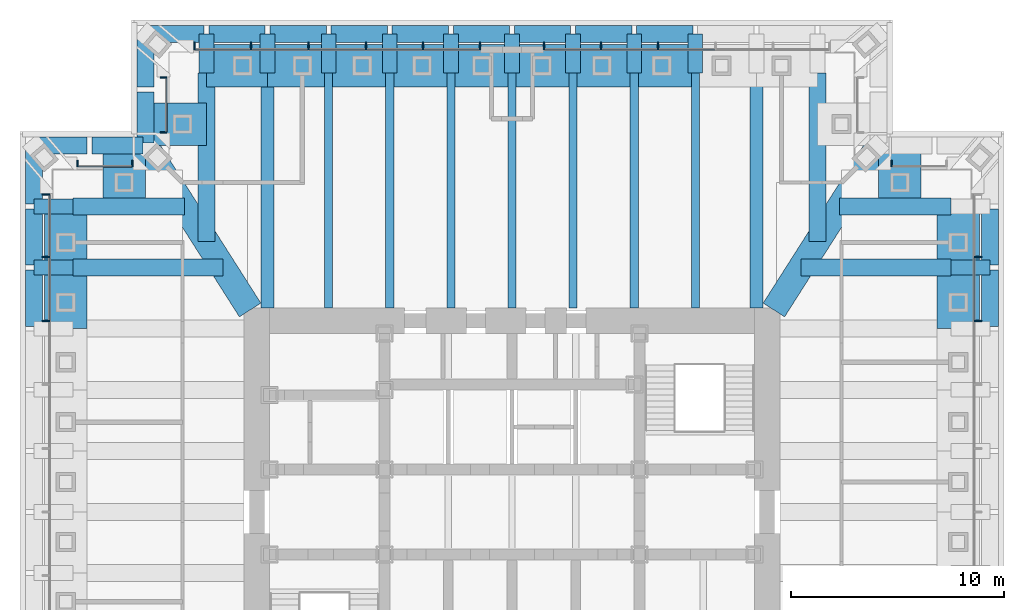
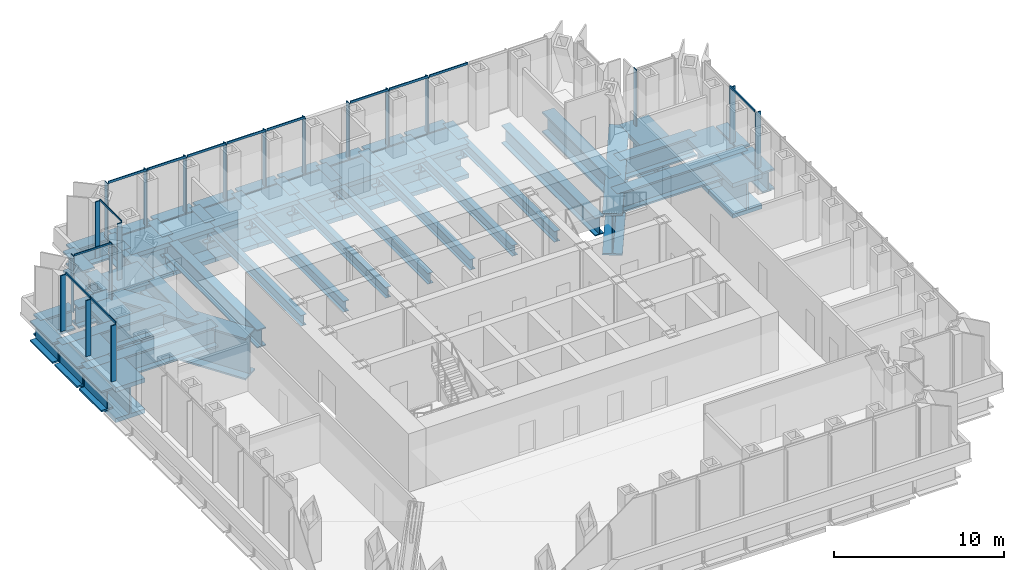
# One storey, part 5 of 12: 62 beams, 32 members, 7 elements without a shape of their own.
"""IFC4 building model written with IfcOpenShell, lengths in metres."""

import ifcopenshell
import ifcopenshell.guid

model = None  # the IFC model being written
_history = None  # IfcOwnerHistory: only IFC2X3 demands one
_inside = {}  # id of a spatial element -> (the spatial element, [elements in it])
_under = {}  # id of a project, library or spatial element -> (it, [spatial elements below it])
_declared = {}  # id of a project -> (the project, [libraries it declares])
_typed = {}  # id of a type object -> (the type object, [elements of that type])
_made_of = {}  # id of a material, layer set ... -> (it, [elements and type objects made of it])


def new_model(schema):
    """Start an empty IFC model of exactly this schema.

    Asked for "IFC4X3", IfcOpenShell would pick the latest addendum, in which some entities
    have other attributes; the version numbers below select the first issue.
    IFC2X3 requires an IfcOwnerHistory on every rooted entity: one is made here for all.
    """
    global model, _history
    if schema == "IFC4X3":
        model = ifcopenshell.file(schema_version=(4, 3, 0, 0))
    else:
        model = ifcopenshell.file(schema=schema)
    _inside.clear()
    _under.clear()
    _declared.clear()
    _typed.clear()
    _made_of.clear()
    _history = None
    if model.schema == "IFC2X3":
        org = make("IfcOrganization", Name="unknown")
        user = make(
            "IfcPersonAndOrganization",
            ThePerson=make("IfcPerson", FamilyName="unknown"),
            TheOrganization=org,
        )
        app = make(
            "IfcApplication",
            ApplicationDeveloper=org,
            Version="unknown",
            ApplicationFullName="unknown",
            ApplicationIdentifier="unknown",
        )
        _history = make(
            "IfcOwnerHistory",
            OwningUser=user,
            OwningApplication=app,
            ChangeAction="ADDED",
            CreationDate=0,
        )
    return model


def make(cls, **values):
    """One entity of the class cls with the attributes given. An attribute that is None is left unset."""
    return model.create_entity(
        cls, **{name: value for name, value in values.items() if value is not None}
    )


def rooted(cls, **values):
    """An entity with a GlobalId (a new one), such as an element, a storey or a relation."""
    return make(cls, GlobalId=ifcopenshell.guid.new(), OwnerHistory=_history, **values)


def si_unit(unit_type, name, prefix=None):
    """IfcSIUnit, for example si_unit("LENGTHUNIT", "METRE", prefix="MILLI")."""
    return make("IfcSIUnit", UnitType=unit_type, Prefix=prefix, Name=name)


def assignment(units):
    """IfcUnitAssignment: the units of a project."""
    return None if units is None else make("IfcUnitAssignment", Units=units)


def point(xyz):
    """IfcCartesianPoint."""
    return None if xyz is None else make("IfcCartesianPoint", Coordinates=xyz)


def direction(xyz):
    """IfcDirection."""
    return None if xyz is None else make("IfcDirection", DirectionRatios=xyz)


def frame(location, z_axis=None, x_axis=None):
    """IfcAxis2Placement3D, a coordinate frame: its origin and axes. An axis left out is left unset."""
    return make(
        "IfcAxis2Placement3D",
        Location=point(location),
        Axis=direction(z_axis),
        RefDirection=direction(x_axis),
    )


def frame_2d(location, x_axis=None):
    """IfcAxis2Placement2D, a coordinate frame in the plane: its origin and x axis."""
    return make(
        "IfcAxis2Placement2D", Location=point(location), RefDirection=direction(x_axis)
    )


def origin():
    """The frame at (0, 0, 0) with its axes left unset."""
    return frame((0.0, 0.0, 0.0))


def origin_2d():
    """The frame at (0, 0) in the plane with its x axis left unset."""
    return frame_2d((0.0, 0.0))


def place(relative_to, where):
    """IfcLocalPlacement: puts the frame where relative to a parent placement (None: the world)."""
    return make(
        "IfcLocalPlacement", PlacementRelTo=relative_to, RelativePlacement=where
    )


def context(
    kind, dimensions, precision=None, world=None, true_north=None, identifier=None
):
    """IfcGeometricRepresentationContext, for example the 3D "Model" context."""
    return make(
        "IfcGeometricRepresentationContext",
        ContextIdentifier=identifier,
        ContextType=kind,
        CoordinateSpaceDimension=dimensions,
        Precision=precision,
        WorldCoordinateSystem=world,
        TrueNorth=true_north,
    )


def subcontext(parent, identifier, kind, view, scale=None):
    """IfcGeometricRepresentationSubContext, for example "Body" below "Model"."""
    return make(
        "IfcGeometricRepresentationSubContext",
        ContextIdentifier=identifier,
        ContextType=kind,
        ParentContext=parent,
        TargetScale=scale,
        TargetView=view,
    )


def project(units=None, contexts=None):
    """IfcProject with its units and contexts."""
    return rooted(
        "IfcProject",
        Name="project",
        RepresentationContexts=contexts,
        UnitsInContext=assignment(units),
    )


def spatial(cls, under=None, at=None, **own):
    """A site, building, storey or space (cls), placed at a placement, below another one or the project."""
    s = rooted(cls, ObjectPlacement=at, **own)
    if under is not None:
        _under.setdefault(under.id(), (under, []))[1].append(s)
    return s


def profile(cls, at=None, kind="AREA", **sizes):
    """A parametric profile (cls). Its sizes go by their IFC names, for example OverallWidth=200.0."""
    return make(cls, ProfileType=kind, Position=at, **sizes)


def rectangle(**sizes):
    """IfcRectangleProfileDef."""
    return profile("IfcRectangleProfileDef", **sizes)


def i_section(**sizes):
    """IfcIShapeProfileDef."""
    return profile("IfcIShapeProfileDef", **sizes)


def extrude(swept, where, along, depth):
    """IfcExtrudedAreaSolid: the profile swept, set in the frame where, extruded along a direction by depth."""
    return make(
        "IfcExtrudedAreaSolid",
        SweptArea=swept,
        Position=where,
        ExtrudedDirection=direction(along),
        Depth=depth,
    )


def shape(context_of_items, identifier, shape_type, items):
    """IfcShapeRepresentation: the items that make up one representation, for example the "Body"."""
    return make(
        "IfcShapeRepresentation",
        ContextOfItems=context_of_items,
        RepresentationIdentifier=identifier,
        RepresentationType=shape_type,
        Items=items,
    )


def material(Name=None, Category=None):
    """IfcMaterial."""
    return make("IfcMaterial", Name=Name, Category=Category)


def material_profile(
    of_material, cross_section, Name=None, Category=None, Priority=None
):
    """IfcMaterialProfile: a cross section and its material."""
    return make(
        "IfcMaterialProfile",
        Name=Name,
        Material=of_material,
        Profile=cross_section,
        Priority=Priority,
        Category=Category,
    )


def profile_set(profiles, Name=None, composite=None):
    """IfcMaterialProfileSet."""
    return make(
        "IfcMaterialProfileSet",
        Name=Name,
        MaterialProfiles=profiles,
        CompositeProfile=composite,
    )


def made_of(thing, what):
    """Note that an element or type object is made of a material, layer set ...; save() writes the relation."""
    if what is not None:
        _made_of.setdefault(what.id(), (what, []))[1].append(thing)
    return thing


def type_object(cls, material=None, **own):
    """A type object (cls), such as IfcWallType, which elements share."""
    return made_of(rooted(cls, **own), material)


def element(
    cls,
    number,
    at=None,
    inside=None,
    cuts=None,
    type_object=None,
    material=None,
    context=None,
    identifier="Body",
    shape_type=None,
    held_by="IfcProductDefinitionShape",
    body=None,
    shapes=None,
    **own,
):
    """One element of the class cls, such as IfcWall. Its Tag is "e" and its number.

    at: its placement. inside: the storey or other place that contains it. cuts: it is an
    opening in that element (IfcRelVoidsElement). A single representation is given by context,
    identifier, shape_type and body (its items); several are given by shapes. held_by: the class
    of the entity that holds the representations. save() writes the other relations.
    """
    e = rooted(cls, Tag="e%d" % number, ObjectPlacement=at, **own)
    if body is not None:
        shapes = [shape(context, identifier, shape_type, body)]
    if shapes is not None:
        e.Representation = make(held_by, Representations=shapes)
    if inside is not None:
        _inside.setdefault(inside.id(), (inside, []))[1].append(e)
    if cuts is not None:
        rooted(
            "IfcRelVoidsElement", RelatingBuildingElement=cuts, RelatedOpeningElement=e
        )
    if type_object is not None:
        _typed.setdefault(type_object.id(), (type_object, []))[1].append(e)
    return made_of(e, material)


def aggregate(whole, parts):
    """IfcRelAggregates: a whole, such as a stair, and the parts it consists of."""
    return rooted("IfcRelAggregates", RelatingObject=whole, RelatedObjects=parts)


def save(model, path):
    """Write the relations noted so far, then the file.

    IfcRelAggregates (storeys below a building ...), IfcRelContainedInSpatialStructure (elements
    in a storey), IfcRelDefinesByType, IfcRelAssociatesMaterial and IfcRelDeclares: one each for
    every whole, place, type object, material and project.
    """
    for whole, parts in _under.values():
        aggregate(whole, parts)
    for where, things in _inside.values():
        rooted(
            "IfcRelContainedInSpatialStructure",
            RelatedElements=things,
            RelatingStructure=where,
        )
    for kind, things in _typed.values():
        rooted("IfcRelDefinesByType", RelatedObjects=things, RelatingType=kind)
    for what, things in _made_of.values():
        rooted("IfcRelAssociatesMaterial", RelatedObjects=things, RelatingMaterial=what)
    for by, libraries in _declared.values():
        rooted("IfcRelDeclares", RelatingContext=by, RelatedDefinitions=libraries)
    model.write(path)


model = new_model("IFC4")

# Units and contexts
model_context = context("Model", 3, precision=1e-05, world=origin(), true_north=direction((0.0, 1.0)))
body_context = subcontext(model_context, "Body", "Model", "MODEL_VIEW")
ifc_project = project(units=[si_unit("LENGTHUNIT", "METRE"), si_unit("AREAUNIT", "SQUARE_METRE"), si_unit("VOLUMEUNIT", "CUBIC_METRE"), si_unit("PLANEANGLEUNIT", "RADIAN"), si_unit("MASSUNIT", "GRAM", prefix="KILO")], contexts=[model_context])

# Site, building, storey
site_placement = place(None, origin())
site = spatial("IfcSite", under=ifc_project, at=site_placement, CompositionType="ELEMENT")
building_placement = place(site_placement, origin())
building = spatial("IfcBuilding", under=site, at=building_placement, Name="Daluyong Arena Tower", CompositionType="ELEMENT")
storey_placement = place(building_placement, frame((0.0, 0.0, 181.300048828125)))
storey = spatial("IfcBuildingStorey", under=building, at=storey_placement, Name="L40", CompositionType="ELEMENT", Elevation=181.300048828125)

# Curtain wall, members
ifc_material_1 = material(Name="Bronze anodised aluminium and glass", Category="aluminium")
curtain_wall_type_1 = type_object("IfcCurtainWallType", Name="Curtain wall CW3", PredefinedType="USERDEFINED", material=ifc_material_1)
curtain_wall_1_placement = place(storey_placement, origin())
curtain_wall_1 = element("IfcCurtainWall", 1, at=curtain_wall_1_placement, inside=storey, type_object=curtain_wall_type_1, Name="curtain wall L40 E", ObjectType="UNITISED CURTAIN WALL", PredefinedType="USERDEFINED")
ifc_material_2 = material(Name="Bronze anodised aluminium fin", Category="aluminium")
ifc_material_profile_1 = material_profile(ifc_material_2, rectangle(XDim=0.35009765625, YDim=0.070068359375, at=origin_2d()))
ifc_profile_set_1 = profile_set([ifc_material_profile_1], Name="Bronze anodised aluminium fin")
member_type_1 = type_object("IfcMemberType", Name="CW3 bronze fin 350x70", PredefinedType="MULLION", material=ifc_profile_set_1)
member_1_placement = place(storey_placement, frame((77.925048828125, 88.99072265625, 0.0), z_axis=(0.0, 0.0, 1.0), x_axis=(-1.0, 0.0, 0.0)))
member_1 = element("IfcMember", 2, at=member_1_placement, type_object=member_type_1, Name="curtain wall L40 E fin 9", PredefinedType="MULLION", context=body_context, shape_type="SweptSolid", body=[
    extrude(rectangle(XDim=0.35009765625, YDim=0.070068359375, at=origin_2d()), origin(), (0.0, 0.0, 1.0), 4.0400390625),
])
member_2_placement = place(storey_placement, frame((77.925048828125, 91.987548828125, 0.0), z_axis=(0.0, 0.0, 1.0), x_axis=(-1.0, 0.0, 0.0)))
member_2 = element("IfcMember", 3, at=member_2_placement, type_object=member_type_1, Name="curtain wall L40 E fin 10", PredefinedType="MULLION", context=body_context, shape_type="SweptSolid", body=[
    extrude(rectangle(XDim=0.35009765625, YDim=0.070068359375, at=origin_2d()), origin(), (0.0, 0.0, 1.0), 4.0400390625),
])

curtain_wall_2_placement = place(storey_placement, origin())
curtain_wall_2 = element("IfcCurtainWall", 4, at=curtain_wall_2_placement, inside=storey, type_object=curtain_wall_type_1, Name="curtain wall L40 N part 1", ObjectType="UNITISED CURTAIN WALL", PredefinedType="USERDEFINED")
member_3_placement = place(storey_placement, frame((62.880126953125, 101.925048828125, 0.0), z_axis=(0.0, 0.0, 1.0), x_axis=(0.0, -1.0, 0.0)))
member_3 = element("IfcMember", 5, at=member_3_placement, type_object=member_type_1, Name="curtain wall L40 N part 1 fin 4", PredefinedType="MULLION", context=body_context, shape_type="SweptSolid", body=[
    extrude(rectangle(XDim=0.35009765625, YDim=0.070068359375, at=origin_2d()), origin(), (0.0, 0.0, 1.0), 4.0400390625),
])
member_4_placement = place(storey_placement, frame((60.1787109375, 101.925048828125, 0.0), z_axis=(0.0, 0.0, 1.0), x_axis=(0.0, -1.0, 0.0)))
member_4 = element("IfcMember", 6, at=member_4_placement, type_object=member_type_1, Name="curtain wall L40 N part 1 fin 5", PredefinedType="MULLION", context=body_context, shape_type="SweptSolid", body=[
    extrude(rectangle(XDim=0.35009765625, YDim=0.070068359375, at=origin_2d()), origin(), (0.0, 0.0, 1.0), 4.0400390625),
])
member_5_placement = place(storey_placement, frame((57.51220703125, 101.925048828125, 0.0), z_axis=(0.0, 0.0, 1.0), x_axis=(0.0, -1.0, 0.0)))
member_5 = element("IfcMember", 7, at=member_5_placement, type_object=member_type_1, Name="curtain wall L40 N part 1 fin 6", PredefinedType="MULLION", context=body_context, shape_type="SweptSolid", body=[
    extrude(rectangle(XDim=0.35009765625, YDim=0.070068359375, at=origin_2d()), origin(), (0.0, 0.0, 1.0), 4.0400390625),
])

curtain_wall_3_placement = place(storey_placement, origin())
curtain_wall_3 = element("IfcCurtainWall", 8, at=curtain_wall_3_placement, inside=storey, type_object=curtain_wall_type_1, Name="curtain wall L40 N part 2", ObjectType="UNITISED CURTAIN WALL", PredefinedType="USERDEFINED")
member_6_placement = place(storey_placement, frame((54.48779296875, 101.925048828125, 0.0), z_axis=(0.0, 0.0, 1.0), x_axis=(0.0, -1.0, 0.0)))
member_6 = element("IfcMember", 9, at=member_6_placement, type_object=member_type_1, Name="curtain wall L40 N part 2 fin 1", PredefinedType="MULLION", context=body_context, shape_type="SweptSolid", body=[
    extrude(rectangle(XDim=0.35009765625, YDim=0.070068359375, at=origin_2d()), origin(), (0.0, 0.0, 1.0), 4.0400390625),
])
member_7_placement = place(storey_placement, frame((51.8212890625, 101.925048828125, 0.0), z_axis=(0.0, 0.0, 1.0), x_axis=(0.0, -1.0, 0.0)))
member_7 = element("IfcMember", 10, at=member_7_placement, type_object=member_type_1, Name="curtain wall L40 N part 2 fin 2", PredefinedType="MULLION", context=body_context, shape_type="SweptSolid", body=[
    extrude(rectangle(XDim=0.35009765625, YDim=0.070068359375, at=origin_2d()), origin(), (0.0, 0.0, 1.0), 4.0400390625),
])
member_8_placement = place(storey_placement, frame((49.119873046875, 101.925048828125, 0.0), z_axis=(0.0, 0.0, 1.0), x_axis=(0.0, -1.0, 0.0)))
member_8 = element("IfcMember", 11, at=member_8_placement, type_object=member_type_1, Name="curtain wall L40 N part 2 fin 3", PredefinedType="MULLION", context=body_context, shape_type="SweptSolid", body=[
    extrude(rectangle(XDim=0.35009765625, YDim=0.070068359375, at=origin_2d()), origin(), (0.0, 0.0, 1.0), 4.0400390625),
])
member_9_placement = place(storey_placement, frame((46.41845703125, 101.925048828125, 0.0), z_axis=(0.0, 0.0, 1.0), x_axis=(0.0, -1.0, 0.0)))
member_9 = element("IfcMember", 12, at=member_9_placement, type_object=member_type_1, Name="curtain wall L40 N part 2 fin 4", PredefinedType="MULLION", context=body_context, shape_type="SweptSolid", body=[
    extrude(rectangle(XDim=0.35009765625, YDim=0.070068359375, at=origin_2d()), origin(), (0.0, 0.0, 1.0), 4.0400390625),
])
member_10_placement = place(storey_placement, frame((43.717041015625, 101.925048828125, 0.0), z_axis=(0.0, 0.0, 1.0), x_axis=(0.0, -1.0, 0.0)))
member_10 = element("IfcMember", 13, at=member_10_placement, type_object=member_type_1, Name="curtain wall L40 N part 2 fin 5", PredefinedType="MULLION", context=body_context, shape_type="SweptSolid", body=[
    extrude(rectangle(XDim=0.35009765625, YDim=0.070068359375, at=origin_2d()), origin(), (0.0, 0.0, 1.0), 4.0400390625),
])
member_11_placement = place(storey_placement, frame((41.050537109375, 101.925048828125, 0.0), z_axis=(0.0, 0.0, 1.0), x_axis=(0.0, -1.0, 0.0)))
member_11 = element("IfcMember", 14, at=member_11_placement, type_object=member_type_1, Name="curtain wall L40 N part 2 fin 6", PredefinedType="MULLION", context=body_context, shape_type="SweptSolid", body=[
    extrude(rectangle(XDim=0.35009765625, YDim=0.070068359375, at=origin_2d()), origin(), (0.0, 0.0, 1.0), 4.0400390625),
])

curtain_wall_4_placement = place(storey_placement, origin())
curtain_wall_4 = element("IfcCurtainWall", 15, at=curtain_wall_4_placement, inside=storey, type_object=curtain_wall_type_1, Name="curtain wall L40 W", ObjectType="UNITISED CURTAIN WALL", PredefinedType="USERDEFINED")
member_12_placement = place(storey_placement, frame((34.074951171875, 94.949462890625, 0.0), z_axis=(0.0, 0.0, 1.0), x_axis=(1.0, 0.0, 0.0)))
member_12 = element("IfcMember", 16, at=member_12_placement, type_object=member_type_1, Name="curtain wall L40 W fin 1", PredefinedType="MULLION", context=body_context, shape_type="SweptSolid", body=[
    extrude(rectangle(XDim=0.35009765625, YDim=0.070068359375, at=origin_2d()), origin(), (0.0, 0.0, 1.0), 4.0400390625),
])
member_13_placement = place(storey_placement, frame((34.074951171875, 91.987548828125, 0.0), z_axis=(0.0, 0.0, 1.0), x_axis=(1.0, 0.0, 0.0)))
member_13 = element("IfcMember", 17, at=member_13_placement, type_object=member_type_1, Name="curtain wall L40 W fin 2", PredefinedType="MULLION", context=body_context, shape_type="SweptSolid", body=[
    extrude(rectangle(XDim=0.35009765625, YDim=0.070068359375, at=origin_2d()), origin(), (0.0, 0.0, 1.0), 4.0400390625),
])
member_14_placement = place(storey_placement, frame((34.074951171875, 88.99072265625, 0.0), z_axis=(0.0, 0.0, 1.0), x_axis=(1.0, 0.0, 0.0)))
member_14 = element("IfcMember", 18, at=member_14_placement, type_object=member_type_1, Name="curtain wall L40 W fin 3", PredefinedType="MULLION", context=body_context, shape_type="SweptSolid", body=[
    extrude(rectangle(XDim=0.35009765625, YDim=0.070068359375, at=origin_2d()), origin(), (0.0, 0.0, 1.0), 4.0400390625),
])

# Member
ifc_material_3 = material(Name="Bronze anodised aluminium", Category="aluminium")
ifc_material_profile_2 = material_profile(ifc_material_3, rectangle(XDim=0.070068359375, YDim=0.159912109375, at=origin_2d()))
ifc_profile_set_2 = profile_set([ifc_material_profile_2], Name="Bronze anodised aluminium")
member_type_2 = type_object("IfcMemberType", Name="CW3 stack transom 160x70", PredefinedType="USERDEFINED", material=ifc_profile_set_2)
member_15_placement = place(storey_placement, frame((77.75, 89.025634765625, 4.119873046875), z_axis=(0.0, 1.0, 0.0), x_axis=(-1.0, 0.0, 0.0)))
member_15 = element("IfcMember", 19, at=member_15_placement, type_object=member_type_2, Name="curtain wall L40 E transom 9", ObjectType="TRANSOM", PredefinedType="USERDEFINED", context=body_context, shape_type="SweptSolid", body=[
    extrude(rectangle(XDim=0.070068359375, YDim=0.159912109375, at=origin_2d()), origin(), (0.0, 0.0, 1.0), 2.927001953125),
])

aggregate(curtain_wall_1, [member_1, member_2, member_15])

member_16_placement = place(storey_placement, frame((65.546630859375, 101.75, 4.119873046875), z_axis=(-1.0, 0.0, 0.0), x_axis=(0.0, -1.0, 0.0)))
member_16 = element("IfcMember", 20, at=member_16_placement, type_object=member_type_2, Name="curtain wall L40 N part 1 transom 3", ObjectType="TRANSOM", PredefinedType="USERDEFINED", context=body_context, shape_type="SweptSolid", body=[
    extrude(rectangle(XDim=0.070068359375, YDim=0.159912109375, at=origin_2d()), origin(), (0.0, 0.0, 1.0), 2.63134765625),
])

member_17_placement = place(storey_placement, frame((62.84521484375, 101.75, 4.119873046875), z_axis=(-1.0, 0.0, 0.0), x_axis=(0.0, -1.0, 0.0)))
member_17 = element("IfcMember", 21, at=member_17_placement, type_object=member_type_2, Name="curtain wall L40 N part 1 transom 4", ObjectType="TRANSOM", PredefinedType="USERDEFINED", context=body_context, shape_type="SweptSolid", body=[
    extrude(rectangle(XDim=0.070068359375, YDim=0.159912109375, at=origin_2d()), origin(), (0.0, 0.0, 1.0), 2.631591796875),
])

member_18_placement = place(storey_placement, frame((60.143798828125, 101.75, 4.119873046875), z_axis=(-1.0, 0.0, 0.0), x_axis=(0.0, -1.0, 0.0)))
member_18 = element("IfcMember", 22, at=member_18_placement, type_object=member_type_2, Name="curtain wall L40 N part 1 transom 5", ObjectType="TRANSOM", PredefinedType="USERDEFINED", context=body_context, shape_type="SweptSolid", body=[
    extrude(rectangle(XDim=0.070068359375, YDim=0.159912109375, at=origin_2d()), origin(), (0.0, 0.0, 1.0), 2.596435546875),
])

aggregate(curtain_wall_2, [member_3, member_4, member_5, member_16, member_17, member_18])

member_19_placement = place(storey_placement, frame((54.45263671875, 101.75, 4.119873046875), z_axis=(-1.0, 0.0, 0.0), x_axis=(0.0, -1.0, 0.0)))
member_19 = element("IfcMember", 23, at=member_19_placement, type_object=member_type_2, Name="curtain wall L40 N part 2 transom 1", ObjectType="TRANSOM", PredefinedType="USERDEFINED", context=body_context, shape_type="SweptSolid", body=[
    extrude(rectangle(XDim=0.070068359375, YDim=0.159912109375, at=origin_2d()), origin(), (0.0, 0.0, 1.0), 2.596435546875),
])

member_20_placement = place(storey_placement, frame((51.786376953125, 101.75, 4.119873046875), z_axis=(-1.0, 0.0, 0.0), x_axis=(0.0, -1.0, 0.0)))
member_20 = element("IfcMember", 24, at=member_20_placement, type_object=member_type_2, Name="curtain wall L40 N part 2 transom 2", ObjectType="TRANSOM", PredefinedType="USERDEFINED", context=body_context, shape_type="SweptSolid", body=[
    extrude(rectangle(XDim=0.070068359375, YDim=0.159912109375, at=origin_2d()), origin(), (0.0, 0.0, 1.0), 2.631591796875),
])

member_21_placement = place(storey_placement, frame((49.084716796875, 101.75, 4.119873046875), z_axis=(-1.0, 0.0, 0.0), x_axis=(0.0, -1.0, 0.0)))
member_21 = element("IfcMember", 25, at=member_21_placement, type_object=member_type_2, Name="curtain wall L40 N part 2 transom 3", ObjectType="TRANSOM", PredefinedType="USERDEFINED", context=body_context, shape_type="SweptSolid", body=[
    extrude(rectangle(XDim=0.070068359375, YDim=0.159912109375, at=origin_2d()), origin(), (0.0, 0.0, 1.0), 2.63134765625),
])

member_22_placement = place(storey_placement, frame((46.38330078125, 101.75, 4.119873046875), z_axis=(-1.0, 0.0, 0.0), x_axis=(0.0, -1.0, 0.0)))
member_22 = element("IfcMember", 26, at=member_22_placement, type_object=member_type_2, Name="curtain wall L40 N part 2 transom 4", ObjectType="TRANSOM", PredefinedType="USERDEFINED", context=body_context, shape_type="SweptSolid", body=[
    extrude(rectangle(XDim=0.070068359375, YDim=0.159912109375, at=origin_2d()), origin(), (0.0, 0.0, 1.0), 2.63134765625),
])

member_23_placement = place(storey_placement, frame((43.681884765625, 101.75, 4.119873046875), z_axis=(-1.0, 0.0, 0.0), x_axis=(0.0, -1.0, 0.0)))
member_23 = element("IfcMember", 27, at=member_23_placement, type_object=member_type_2, Name="curtain wall L40 N part 2 transom 5", ObjectType="TRANSOM", PredefinedType="USERDEFINED", context=body_context, shape_type="SweptSolid", body=[
    extrude(rectangle(XDim=0.070068359375, YDim=0.159912109375, at=origin_2d()), origin(), (0.0, 0.0, 1.0), 2.596435546875),
])

aggregate(curtain_wall_3, [member_6, member_7, member_8, member_9, member_10, member_11, member_19, member_20, member_21, member_22, member_23])

member_24_placement = place(storey_placement, frame((34.25, 94.91455078125, 4.119873046875), z_axis=(0.0, -1.0, 0.0), x_axis=(1.0, 0.0, 0.0)))
member_24 = element("IfcMember", 28, at=member_24_placement, type_object=member_type_2, Name="curtain wall L40 W transom 1", ObjectType="TRANSOM", PredefinedType="USERDEFINED", context=body_context, shape_type="SweptSolid", body=[
    extrude(rectangle(XDim=0.070068359375, YDim=0.159912109375, at=origin_2d()), origin(), (0.0, 0.0, 1.0), 2.891845703125),
])

member_25_placement = place(storey_placement, frame((34.25, 91.95263671875, 4.119873046875), z_axis=(0.0, -1.0, 0.0), x_axis=(1.0, 0.0, 0.0)))
member_25 = element("IfcMember", 29, at=member_25_placement, type_object=member_type_2, Name="curtain wall L40 W transom 2", ObjectType="TRANSOM", PredefinedType="USERDEFINED", context=body_context, shape_type="SweptSolid", body=[
    extrude(rectangle(XDim=0.070068359375, YDim=0.159912109375, at=origin_2d()), origin(), (0.0, 0.0, 1.0), 2.927001953125),
])

aggregate(curtain_wall_4, [member_12, member_13, member_14, member_24, member_25])

# Curtain wall, member
ifc_material_4 = material(Name="Bronze anodised aluminium and glass", Category="aluminium")
curtain_wall_type_2 = type_object("IfcCurtainWallType", Name="Curtain wall CW7", PredefinedType="USERDEFINED", material=ifc_material_4)
curtain_wall_5_placement = place(storey_placement, origin())
curtain_wall_5 = element("IfcCurtainWall", 30, at=curtain_wall_5_placement, inside=storey, type_object=curtain_wall_type_2, Name="curtain wall L40 NE-N", ObjectType="UNITISED CURTAIN WALL", PredefinedType="USERDEFINED")
ifc_material_5 = material(Name="Bronze anodised aluminium fin", Category="aluminium")
ifc_material_profile_3 = material_profile(ifc_material_5, rectangle(XDim=0.300048828125, YDim=0.06005859375, at=origin_2d()))
ifc_profile_set_3 = profile_set([ifc_material_profile_3], Name="Bronze anodised aluminium fin")
member_type_3 = type_object("IfcMemberType", Name="CW7 bronze fin 300x60", PredefinedType="MULLION", material=ifc_profile_set_3)
member_26_placement = place(storey_placement, frame((73.85205078125, 96.39990234375, 0.0), z_axis=(0.0, 0.0, 1.0), x_axis=(0.0, -1.0, 0.0)))
member_26 = element("IfcMember", 31, at=member_26_placement, type_object=member_type_3, Name="curtain wall L40 NE-N fin 2", PredefinedType="MULLION", context=body_context, shape_type="SweptSolid", body=[
    extrude(rectangle(XDim=0.300048828125, YDim=0.06005859375, at=origin_2d()), origin(), (0.0, 0.0, 1.0), 4.079833984375),
])
aggregate(curtain_wall_5, [member_26])

# Curtain wall, members
curtain_wall_6_placement = place(storey_placement, origin())
curtain_wall_6 = element("IfcCurtainWall", 32, at=curtain_wall_6_placement, inside=storey, type_object=curtain_wall_type_2, Name="curtain wall L40 NW-W", ObjectType="UNITISED CURTAIN WALL", PredefinedType="USERDEFINED")
member_27_placement = place(storey_placement, frame((39.60009765625, 100.44091796875, 0.0), z_axis=(0.0, 0.0, 1.0), x_axis=(1.0, 0.0, 0.0)))
member_27 = element("IfcMember", 33, at=member_27_placement, type_object=member_type_3, Name="curtain wall L40 NW-W fin 1", PredefinedType="MULLION", context=body_context, shape_type="SweptSolid", body=[
    extrude(rectangle(XDim=0.300048828125, YDim=0.06005859375, at=origin_2d()), origin(), (0.0, 0.0, 1.0), 4.079833984375),
])
member_28_placement = place(storey_placement, frame((39.60009765625, 97.85205078125, 0.0), z_axis=(0.0, 0.0, 1.0), x_axis=(1.0, 0.0, 0.0)))
member_28 = element("IfcMember", 34, at=member_28_placement, type_object=member_type_3, Name="curtain wall L40 NW-W fin 2", PredefinedType="MULLION", context=body_context, shape_type="SweptSolid", body=[
    extrude(rectangle(XDim=0.300048828125, YDim=0.06005859375, at=origin_2d()), origin(), (0.0, 0.0, 1.0), 4.079833984375),
])

curtain_wall_7_placement = place(storey_placement, origin())
curtain_wall_7 = element("IfcCurtainWall", 35, at=curtain_wall_7_placement, inside=storey, type_object=curtain_wall_type_2, Name="curtain wall L40 NW-N", ObjectType="UNITISED CURTAIN WALL", PredefinedType="USERDEFINED")
member_29_placement = place(storey_placement, frame((38.14794921875, 96.39990234375, 0.0), z_axis=(0.0, 0.0, 1.0), x_axis=(0.0, -1.0, 0.0)))
member_29 = element("IfcMember", 36, at=member_29_placement, type_object=member_type_3, Name="curtain wall L40 NW-N fin 1", PredefinedType="MULLION", context=body_context, shape_type="SweptSolid", body=[
    extrude(rectangle(XDim=0.300048828125, YDim=0.06005859375, at=origin_2d()), origin(), (0.0, 0.0, 1.0), 4.079833984375),
])
member_30_placement = place(storey_placement, frame((35.55908203125, 96.39990234375, 0.0), z_axis=(0.0, 0.0, 1.0), x_axis=(0.0, -1.0, 0.0)))
member_30 = element("IfcMember", 37, at=member_30_placement, type_object=member_type_3, Name="curtain wall L40 NW-N fin 2", PredefinedType="MULLION", context=body_context, shape_type="SweptSolid", body=[
    extrude(rectangle(XDim=0.300048828125, YDim=0.06005859375, at=origin_2d()), origin(), (0.0, 0.0, 1.0), 4.079833984375),
])

# Member
ifc_material_6 = material(Name="Bronze anodised aluminium", Category="aluminium")
ifc_material_profile_4 = material_profile(ifc_material_6, rectangle(XDim=0.06005859375, YDim=0.1201171875, at=origin_2d()))
ifc_profile_set_4 = profile_set([ifc_material_profile_4], Name="Bronze anodised aluminium")
member_type_4 = type_object("IfcMemberType", Name="CW7 stack transom 120x60", PredefinedType="USERDEFINED", material=ifc_profile_set_4)
member_31_placement = place(storey_placement, frame((39.75, 100.410888671875, 4.139892578125), z_axis=(0.0, -1.0, 0.0), x_axis=(1.0, 0.0, 0.0)))
member_31 = element("IfcMember", 38, at=member_31_placement, type_object=member_type_4, Name="curtain wall L40 NW-W transom 1", ObjectType="TRANSOM", PredefinedType="USERDEFINED", context=body_context, shape_type="SweptSolid", body=[
    extrude(rectangle(XDim=0.06005859375, YDim=0.1201171875, at=origin_2d()), origin(), (0.0, 0.0, 1.0), 2.52880859375),
])

aggregate(curtain_wall_6, [member_27, member_28, member_31])

member_32_placement = place(storey_placement, frame((38.117919921875, 96.25, 4.139892578125), z_axis=(-1.0, 0.0, 0.0), x_axis=(0.0, -1.0, 0.0)))
member_32 = element("IfcMember", 39, at=member_32_placement, type_object=member_type_4, Name="curtain wall L40 NW-N transom 1", ObjectType="TRANSOM", PredefinedType="USERDEFINED", context=body_context, shape_type="SweptSolid", body=[
    extrude(rectangle(XDim=0.06005859375, YDim=0.1201171875, at=origin_2d()), origin(), (0.0, 0.0, 1.0), 2.52880859375),
])

aggregate(curtain_wall_7, [member_29, member_30, member_32])

# Beams
ifc_material_7 = material(Name="Steel ASTM A588 Grade 50", Category="steel")
ifc_material_profile_5 = material_profile(ifc_material_7, i_section(OverallWidth=0.800048828125, OverallDepth=1.5, WebThickness=0.05, FlangeThickness=0.12, at=origin_2d()))
ifc_profile_set_5 = profile_set([ifc_material_profile_5], Name="Steel ASTM A588 Grade 50")
beam_type_1 = type_object("IfcBeamType", Name="Floor beam PG1500X800", PredefinedType="BEAM", material=ifc_profile_set_5)
beam_1_placement = place(storey_placement, frame((76.64990234375, 91.5, -1.0), z_axis=(-1.0, 0.0, 0.0), x_axis=(0.0, -1.0, 0.0)))
element("IfcBeam", 40, at=beam_1_placement, inside=storey, type_object=beam_type_1, Name="floor beam FB9", PredefinedType="BEAM", context=body_context, shape_type="SweptSolid", body=[
    extrude(i_section(OverallWidth=0.800048828125, OverallDepth=1.5, WebThickness=0.05, FlangeThickness=0.12, at=origin_2d()), origin(), (0.0, 0.0, 1.0), 7.05908203125),
])
beam_2_placement = place(storey_placement, frame((76.64990234375, 94.375, -1.0), z_axis=(-1.0, 0.0, 0.0), x_axis=(0.0, -1.0, 0.0)))
element("IfcBeam", 41, at=beam_2_placement, inside=storey, type_object=beam_type_1, Name="floor beam FB9", PredefinedType="BEAM", context=body_context, shape_type="SweptSolid", body=[
    extrude(i_section(OverallWidth=0.800048828125, OverallDepth=1.5, WebThickness=0.05, FlangeThickness=0.12, at=origin_2d()), origin(), (0.0, 0.0, 1.0), 5.2294921875),
])
for number, where, z_axis, x_axis, name in (
    (42, (70.375, 100.64990234375, -1.0), (0.0, -1.0, 0.0), (1.0, 0.0, 0.0), "floor beam FB9"),
    (43, (41.625, 100.64990234375, -1.0), (0.0, -1.0, 0.0), (1.0, 0.0, 0.0), "floor beam FB9"),
):
    element("IfcBeam", number, at=place(storey_placement, frame(where, z_axis=z_axis, x_axis=x_axis)), inside=storey, type_object=beam_type_1, Name=name, PredefinedType="BEAM", context=body_context, shape_type="SweptSolid", body=[
        extrude(i_section(OverallWidth=0.800048828125, OverallDepth=1.5, WebThickness=0.05, FlangeThickness=0.12, at=origin_2d()), origin(), (0.0, 0.0, 1.0), 7.917724609375),
    ])
beam_3_placement = place(storey_placement, frame((35.35009765625, 94.375, -1.0), z_axis=(1.0, 0.0, 0.0), x_axis=(0.0, 1.0, 0.0)))
element("IfcBeam", 44, at=beam_3_placement, inside=storey, type_object=beam_type_1, Name="floor beam FB9", PredefinedType="BEAM", context=body_context, shape_type="SweptSolid", body=[
    extrude(i_section(OverallWidth=0.800048828125, OverallDepth=1.5, WebThickness=0.05, FlangeThickness=0.12, at=origin_2d()), origin(), (0.0, 0.0, 1.0), 5.2294921875),
])
beam_4_placement = place(storey_placement, frame((35.35009765625, 91.5, -1.0), z_axis=(1.0, 0.0, 0.0), x_axis=(0.0, 1.0, 0.0)))
element("IfcBeam", 45, at=beam_4_placement, inside=storey, type_object=beam_type_1, Name="floor beam FB9", PredefinedType="BEAM", context=body_context, shape_type="SweptSolid", body=[
    extrude(i_section(OverallWidth=0.800048828125, OverallDepth=1.5, WebThickness=0.05, FlangeThickness=0.12, at=origin_2d()), origin(), (0.0, 0.0, 1.0), 7.05908203125),
])
ifc_material_8 = material(Name="Steel ASTM A572 Grade 50", Category="steel")
ifc_material_profile_6 = material_profile(ifc_material_8, i_section(OverallWidth=0.60009765625, OverallDepth=1.300048828125, WebThickness=0.035, FlangeThickness=0.07, at=origin_2d()))
ifc_profile_set_6 = profile_set([ifc_material_profile_6], Name="Steel ASTM A572 Grade 50")
beam_type_2 = type_object("IfcBeamType", Name="Floor beam TB1300X600", PredefinedType="BEAM", material=ifc_profile_set_6)
for number, where, z_axis, x_axis, name in (
    (46, (67.5, 100.64990234375, -0.900146484375), (0.0, -1.0, 0.0), (1.0, 0.0, 0.0), "floor beam FB7"),
    (47, (44.5, 100.64990234375, -0.900146484375), (0.0, -1.0, 0.0), (1.0, 0.0, 0.0), "floor beam FB7"),
):
    element("IfcBeam", number, at=place(storey_placement, frame(where, z_axis=z_axis, x_axis=x_axis)), inside=storey, type_object=beam_type_2, Name=name, PredefinedType="BEAM", context=body_context, shape_type="SweptSolid", body=[
        extrude(i_section(OverallWidth=0.60009765625, OverallDepth=1.300048828125, WebThickness=0.035, FlangeThickness=0.07, at=origin_2d()), origin(), (0.0, 0.0, 1.0), 11.0498046875),
    ])
ifc_material_9 = material(Name="Steel ASTM A992 Grade 50", Category="steel")
ifc_material_profile_7 = material_profile(ifc_material_9, i_section(OverallWidth=0.381103515625, OverallDepth=0.772216796875, WebThickness=0.0166015625, FlangeThickness=0.027099609375, at=origin_2d()))
ifc_profile_set_7 = profile_set([ifc_material_profile_7], Name="Steel ASTM A992 Grade 50")
beam_type_3 = type_object("IfcBeamType", Name="Floor beam W30X173", PredefinedType="BEAM", material=ifc_profile_set_7)
for number, where, z_axis, x_axis, name in (
    (48, (64.625, 100.64990234375, -0.63623046875), (0.0, -1.0, 0.0), (1.0, 0.0, 0.0), "floor beam FB2"),
    (49, (61.75, 100.64990234375, -0.63623046875), (0.0, -1.0, 0.0), (1.0, 0.0, 0.0), "floor beam FB2"),
    (50, (58.875, 100.64990234375, -0.63623046875), (0.0, -1.0, 0.0), (1.0, 0.0, 0.0), "floor beam FB2"),
    (51, (56.0, 100.64990234375, -0.63623046875), (0.0, -1.0, 0.0), (1.0, 0.0, 0.0), "floor beam FB2"),
    (52, (53.125, 100.64990234375, -0.63623046875), (0.0, -1.0, 0.0), (1.0, 0.0, 0.0), "floor beam FB2"),
    (53, (50.25, 100.64990234375, -0.63623046875), (0.0, -1.0, 0.0), (1.0, 0.0, 0.0), "floor beam FB2"),
    (54, (47.375, 100.64990234375, -0.63623046875), (0.0, -1.0, 0.0), (1.0, 0.0, 0.0), "floor beam FB2"),
):
    element("IfcBeam", number, at=place(storey_placement, frame(where, z_axis=z_axis, x_axis=x_axis)), inside=storey, type_object=beam_type_3, Name=name, PredefinedType="BEAM", context=body_context, shape_type="SweptSolid", body=[
        extrude(i_section(OverallWidth=0.381103515625, OverallDepth=0.772216796875, WebThickness=0.0166015625, FlangeThickness=0.027099609375, at=origin_2d()), origin(), (0.0, 0.0, 1.0), 11.0498046875),
    ])
ifc_material_10 = material(Name="Steel ASTM A588 Grade 50", Category="steel")
ifc_material_profile_8 = material_profile(ifc_material_10, i_section(OverallWidth=0.800048828125, OverallDepth=1.5, WebThickness=0.05, FlangeThickness=0.12, at=origin_2d()))
ifc_profile_set_8 = profile_set([ifc_material_profile_8], Name="Steel ASTM A588 Grade 50")
beam_type_4 = type_object("IfcBeamType", Name="Spandrel Z2 PG1500X800", PredefinedType="SPANDREL", material=ifc_profile_set_8)
for number, where, z_axis, x_axis, name in (
    (55, (78.5, 88.739990234375, -1.0), (0.0, 1.0, 0.0), (-1.0, 0.0, 0.0), "spandrel z2 SB5"),
    (56, (78.5, 91.614990234375, -1.0), (0.0, 1.0, 0.0), (-1.0, 0.0, 0.0), "spandrel z2 SB5"),
    (57, (64.510009765625, 102.5, -1.0), (-1.0, 0.0, 0.0), (0.0, -1.0, 0.0), "spandrel z2 SB5"),
    (58, (61.635009765625, 102.5, -1.0), (-1.0, 0.0, 0.0), (0.0, -1.0, 0.0), "spandrel z2 SB5"),
    (59, (58.760009765625, 102.5, -1.0), (-1.0, 0.0, 0.0), (0.0, -1.0, 0.0), "spandrel z2 SB5"),
    (60, (55.885009765625, 102.5, -1.0), (-1.0, 0.0, 0.0), (0.0, -1.0, 0.0), "spandrel z2 SB5"),
    (61, (53.010009765625, 102.5, -1.0), (-1.0, 0.0, 0.0), (0.0, -1.0, 0.0), "spandrel z2 SB5"),
    (62, (50.135009765625, 102.5, -1.0), (-1.0, 0.0, 0.0), (0.0, -1.0, 0.0), "spandrel z2 SB5"),
    (63, (47.260009765625, 102.5, -1.0), (-1.0, 0.0, 0.0), (0.0, -1.0, 0.0), "spandrel z2 SB5"),
    (64, (44.385009765625, 102.5, -1.0), (-1.0, 0.0, 0.0), (0.0, -1.0, 0.0), "spandrel z2 SB5"),
    (65, (41.510009765625, 102.5, -1.0), (-1.0, 0.0, 0.0), (0.0, -1.0, 0.0), "spandrel z2 SB5"),
):
    element("IfcBeam", number, at=place(storey_placement, frame(where, z_axis=z_axis, x_axis=x_axis)), inside=storey, type_object=beam_type_4, Name=name, PredefinedType="SPANDREL", context=body_context, shape_type="SweptSolid", body=[
        extrude(i_section(OverallWidth=0.800048828125, OverallDepth=1.5, WebThickness=0.05, FlangeThickness=0.12, at=origin_2d()), origin(), (0.0, 0.0, 1.0), 2.64501953125),
    ])
for number, where, z_axis, x_axis, name in (
    (66, (38.75, 102.385009765625, -1.0), (0.0, -1.0, 0.0), (1.0, 0.0, 0.0), "spandrel z2 SB5"),
    (67, (38.75, 99.760009765625, -1.0), (0.0, -1.0, 0.0), (1.0, 0.0, 0.0), "spandrel z2 SB5"),
    (68, (38.635009765625, 97.25, -1.0), (-1.0, 0.0, 0.0), (0.0, -1.0, 0.0), "spandrel z2 SB5"),
    (69, (36.010009765625, 97.25, -1.0), (-1.0, 0.0, 0.0), (0.0, -1.0, 0.0), "spandrel z2 SB5"),
):
    element("IfcBeam", number, at=place(storey_placement, frame(where, z_axis=z_axis, x_axis=x_axis)), inside=storey, type_object=beam_type_4, Name=name, PredefinedType="SPANDREL", context=body_context, shape_type="SweptSolid", body=[
        extrude(i_section(OverallWidth=0.800048828125, OverallDepth=1.5, WebThickness=0.05, FlangeThickness=0.12, at=origin_2d()), origin(), (0.0, 0.0, 1.0), 2.39501953125),
    ])
for number, where, z_axis, x_axis, name in (
    (70, (33.5, 97.135009765625, -1.0), (0.0, -1.0, 0.0), (1.0, 0.0, 0.0), "spandrel z2 SB5"),
    (71, (33.5, 94.260009765625, -1.0), (0.0, -1.0, 0.0), (1.0, 0.0, 0.0), "spandrel z2 SB5"),
    (72, (33.5, 91.385009765625, -1.0), (0.0, -1.0, 0.0), (1.0, 0.0, 0.0), "spandrel z2 SB5"),
):
    element("IfcBeam", number, at=place(storey_placement, frame(where, z_axis=z_axis, x_axis=x_axis)), inside=storey, type_object=beam_type_4, Name=name, PredefinedType="SPANDREL", context=body_context, shape_type="SweptSolid", body=[
        extrude(i_section(OverallWidth=0.800048828125, OverallDepth=1.5, WebThickness=0.05, FlangeThickness=0.12, at=origin_2d()), origin(), (0.0, 0.0, 1.0), 2.64501953125),
    ])
ifc_material_11 = material(Name="Steel ASTM A572 Grade 50", Category="steel")
ifc_material_profile_9 = material_profile(ifc_material_11, i_section(OverallWidth=0.699951171875, OverallDepth=1.5, WebThickness=0.04, FlangeThickness=0.08, at=origin_2d()))
ifc_profile_set_9 = profile_set([ifc_material_profile_9], Name="Steel ASTM A572 Grade 50")
beam_type_5 = type_object("IfcBeamType", Name="Transfer beam PG1500X700", PredefinedType="BEAM", material=ifc_profile_set_9)
for number, where, z_axis, x_axis, name in (
    (73, (78.5, 91.5, -1.0), (-1.0, 0.0, 0.0), (0.0, -1.0, 0.0), "transfer beam TR6"),
    (74, (64.625, 102.5, -1.0), (0.0, -1.0, 0.0), (1.0, 0.0, 0.0), "transfer beam TR6"),
    (75, (61.75, 102.5, -1.0), (0.0, -1.0, 0.0), (1.0, 0.0, 0.0), "transfer beam TR6"),
    (76, (58.875, 102.5, -1.0), (0.0, -1.0, 0.0), (1.0, 0.0, 0.0), "transfer beam TR6"),
    (77, (56.0, 102.5, -1.0), (0.0, -1.0, 0.0), (1.0, 0.0, 0.0), "transfer beam TR6"),
    (78, (53.125, 102.5, -1.0), (0.0, -1.0, 0.0), (1.0, 0.0, 0.0), "transfer beam TR6"),
    (79, (50.25, 102.5, -1.0), (0.0, -1.0, 0.0), (1.0, 0.0, 0.0), "transfer beam TR6"),
    (80, (47.375, 102.5, -1.0), (0.0, -1.0, 0.0), (1.0, 0.0, 0.0), "transfer beam TR6"),
    (81, (44.5, 102.5, -1.0), (0.0, -1.0, 0.0), (1.0, 0.0, 0.0), "transfer beam TR6"),
    (82, (41.625, 102.5, -1.0), (0.0, -1.0, 0.0), (1.0, 0.0, 0.0), "transfer beam TR6"),
    (83, (33.5, 94.375, -1.0), (1.0, 0.0, 0.0), (0.0, 1.0, 0.0), "transfer beam TR6"),
    (84, (33.5, 91.5, -1.0), (1.0, 0.0, 0.0), (0.0, 1.0, 0.0), "transfer beam TR6"),
):
    element("IfcBeam", number, at=place(storey_placement, frame(where, z_axis=z_axis, x_axis=x_axis)), inside=storey, type_object=beam_type_5, Name=name, PredefinedType="BEAM", context=body_context, shape_type="SweptSolid", body=[
        extrude(i_section(OverallWidth=0.699951171875, OverallDepth=1.5, WebThickness=0.04, FlangeThickness=0.08, at=origin_2d()), origin(), (0.0, 0.0, 1.0), 1.85009765625),
    ])
ifc_material_12 = material(Name="Steel ASTM A36", Category="steel")
ifc_material_profile_10 = material_profile(ifc_material_12, i_section(OverallWidth=2.0, OverallDepth=2.5, WebThickness=0.12, FlangeThickness=0.3, at=origin_2d()))
ifc_profile_set_10 = profile_set([ifc_material_profile_10], Name="Steel ASTM A36")
beam_type_6 = type_object("IfcBeamType", Name="Transfer beam PG2500X2000", PredefinedType="BEAM", material=ifc_profile_set_10)
for number, where, z_axis, x_axis, name in (
    (85, (38.75, 98.25, -1.5), (1.0, 0.0, 0.0), (0.0, 1.0, 0.0), "transfer beam TR3"),
    (86, (41.625, 101.0, -1.5), (1.0, 0.0, 0.0), (0.0, 1.0, 0.0), "transfer beam TR3"),
    (87, (44.5, 101.0, -1.5), (1.0, 0.0, 0.0), (0.0, 1.0, 0.0), "transfer beam TR3"),
    (88, (47.375, 101.0, -1.5), (1.0, 0.0, 0.0), (0.0, 1.0, 0.0), "transfer beam TR3"),
    (89, (50.25, 101.0, -1.5), (1.0, 0.0, 0.0), (0.0, 1.0, 0.0), "transfer beam TR3"),
    (90, (53.125, 101.0, -1.5), (1.0, 0.0, 0.0), (0.0, 1.0, 0.0), "transfer beam TR3"),
    (91, (56.0, 101.0, -1.5), (1.0, 0.0, 0.0), (0.0, 1.0, 0.0), "transfer beam TR3"),
    (92, (58.875, 101.0, -1.5), (1.0, 0.0, 0.0), (0.0, 1.0, 0.0), "transfer beam TR3"),
    (93, (61.75, 101.0, -1.5), (1.0, 0.0, 0.0), (0.0, 1.0, 0.0), "transfer beam TR3"),
    (94, (35.0, 88.625, -1.5), (0.0, 1.0, 0.0), (-1.0, 0.0, 0.0), "transfer beam TR3"),
    (95, (35.0, 91.5, -1.5), (0.0, 1.0, 0.0), (-1.0, 0.0, 0.0), "transfer beam TR3"),
    (96, (37.75, 94.375, -1.5), (0.0, 1.0, 0.0), (-1.0, 0.0, 0.0), "transfer beam TR3"),
    (97, (74.25, 94.375, -1.5), (0.0, 1.0, 0.0), (-1.0, 0.0, 0.0), "transfer beam TR3"),
    (98, (77.0, 88.625, -1.5), (0.0, 1.0, 0.0), (-1.0, 0.0, 0.0), "transfer beam TR3"),
    (99, (77.0, 91.5, -1.5), (0.0, 1.0, 0.0), (-1.0, 0.0, 0.0), "transfer beam TR3"),
):
    element("IfcBeam", number, at=place(storey_placement, frame(where, z_axis=z_axis, x_axis=x_axis)), inside=storey, type_object=beam_type_6, Name=name, PredefinedType="BEAM", context=body_context, shape_type="SweptSolid", body=[
        extrude(i_section(OverallWidth=2.0, OverallDepth=2.5, WebThickness=0.12, FlangeThickness=0.3, at=origin_2d()), origin(), (0.0, 0.0, 1.0), 2.875),
    ])
ifc_material_13 = material(Name="Steel ASTM A588 Grade 50", Category="steel")
ifc_material_profile_11 = material_profile(ifc_material_13, i_section(OverallWidth=1.199951171875, OverallDepth=3.0, WebThickness=0.06, FlangeThickness=0.12, at=origin_2d()))
ifc_profile_set_11 = profile_set([ifc_material_profile_11], Name="Steel ASTM A588 Grade 50")
beam_type_7 = type_object("IfcBeamType", Name="Transfer beam PG3000X1200", PredefinedType="BEAM", material=ifc_profile_set_11)
for number, where, z_axis, x_axis, name in (
    (100, (73.25, 97.25, -1.75), (-0.536878934272, -0.843659297308, 0.0), (0.843659297308, -0.536878934272, 0.0), "transfer beam TR5"),
    (101, (38.75, 97.25, -1.75), (0.536878934272, -0.843659297308, 0.0), (0.843659297308, 0.536878934272, 0.0), "transfer beam TR5"),
):
    element("IfcBeam", number, at=place(storey_placement, frame(where, z_axis=z_axis, x_axis=x_axis)), inside=storey, type_object=beam_type_7, Name=name, PredefinedType="BEAM", context=body_context, shape_type="SweptSolid", body=[
        extrude(i_section(OverallWidth=1.199951171875, OverallDepth=3.0, WebThickness=0.06, FlangeThickness=0.12, at=origin_2d()), origin(), (0.0, 0.0, 1.0), 9.178955078125),
    ])

save(model, "model.ifc")
